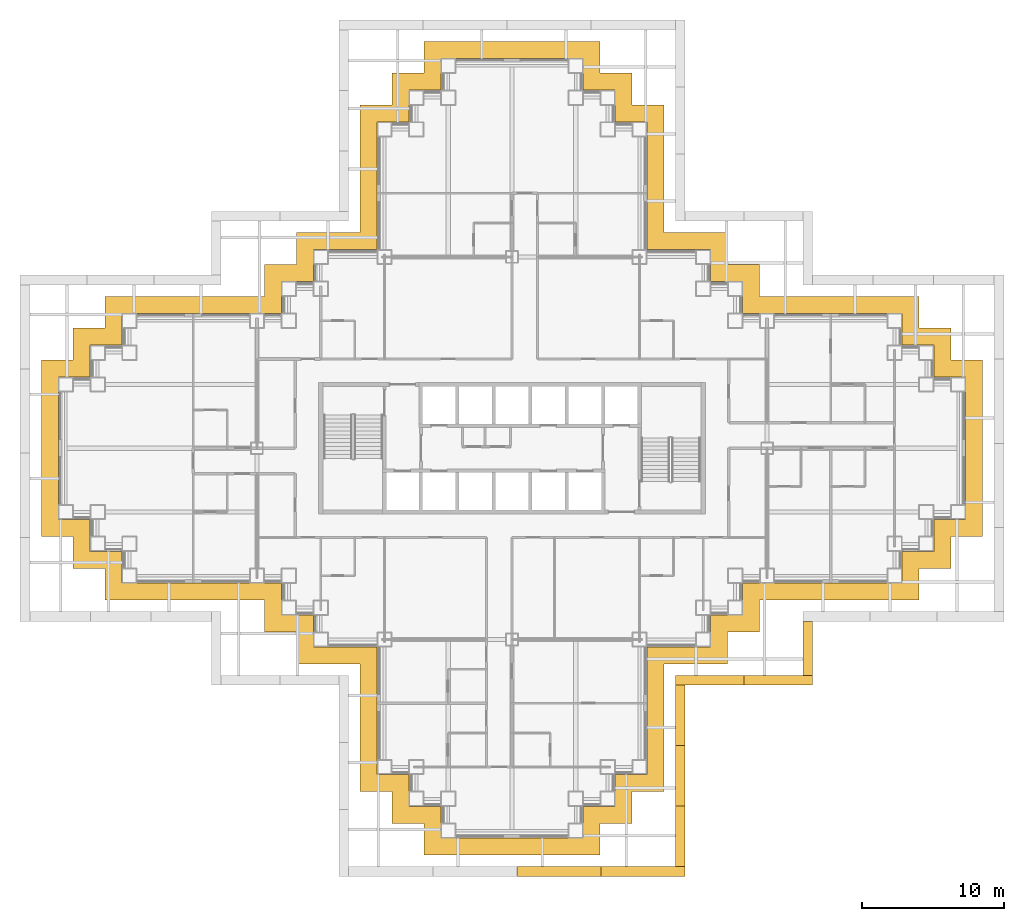
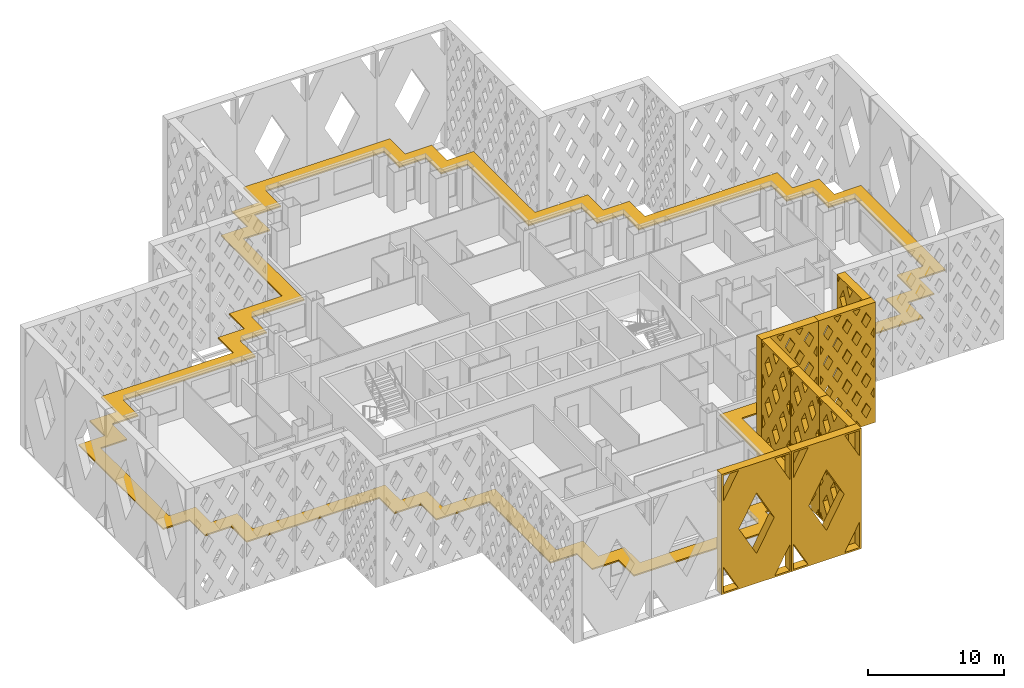
# One storey, part 15 of 19: 9 shading devices.
"""IFC4 building model written with IfcOpenShell, lengths in metres."""

from ifc_helpers import new_model, si_unit, direction, frame, origin, place, context, subcontext, project, spatial, polyline, outline, extrude, material, layer, layer_set, type_object, element, save


model = new_model("IFC4")

# Units and contexts
model_context = context("Model", 3, precision=1e-05, world=origin(), true_north=direction((0.0, 1.0)))
body_context = subcontext(model_context, "Body", "Model", "MODEL_VIEW")
ifc_project = project(units=[si_unit("LENGTHUNIT", "METRE"), si_unit("AREAUNIT", "SQUARE_METRE"), si_unit("VOLUMEUNIT", "CUBIC_METRE"), si_unit("PLANEANGLEUNIT", "RADIAN"), si_unit("MASSUNIT", "GRAM", prefix="KILO")], contexts=[model_context])

# Site, building, storey
site_placement = place(None, origin())
site = spatial("IfcSite", under=ifc_project, at=site_placement, CompositionType="ELEMENT")
building_placement = place(site_placement, origin())
building = spatial("IfcBuilding", under=site, at=building_placement, Name="Caravel Reach Hotel and Residences", CompositionType="ELEMENT")
storey_placement = place(building_placement, frame((0.0, 0.0, 52.800048828125)))
storey = spatial("IfcBuildingStorey", under=building, at=storey_placement, Name="L11", CompositionType="ELEMENT", Elevation=52.800048828125)

# Shading devices
ifc_material_1 = material(Name="Black powder-coated aluminium", Category="aluminium")
shading_device_type_1 = type_object("IfcShadingDeviceType", Name="Diamond lattice screen panel 3800 x 10800", PredefinedType="USERDEFINED", material=ifc_material_1)
shading_device_1_placement = place(storey_placement, frame((52.02490234375, 10.97509765625, 0.0), z_axis=(1.0, 0.0, 0.0), x_axis=(0.0, 1.0, 0.0)))
element("IfcShadingDevice", 1, at=shading_device_1_placement, inside=storey, type_object=shading_device_type_1, Name="Lattice screen L11-L13 5.1", ObjectType="SCREEN", PredefinedType="USERDEFINED", context=body_context, shape_type="SweptSolid", body=[
    extrude(outline(polyline([(0.0, 0.0), (3.800048828125, 0.0), (3.800048828125, 10.800048828125), (0.0, 10.800048828125), (0.0, 0.0)]), holes=[polyline([(0.41015625, 0.14990234375), (0.14990234375, 0.64306640625), (0.14990234375, 0.14990234375), (0.41015625, 0.14990234375)]), polyline([(0.489501953125, 3.60009765625), (0.14990234375, 4.2431640625), (0.14990234375, 2.956787109375), (0.489501953125, 3.60009765625)]), polyline([(0.489501953125, 7.199951171875), (0.14990234375, 7.843017578125), (0.14990234375, 6.556884765625), (0.489501953125, 7.199951171875)]), polyline([(0.14990234375, 10.156982421875), (0.41015625, 10.64990234375), (0.14990234375, 10.64990234375), (0.14990234375, 10.156982421875)]), polyline([(0.949951171875, 2.727294921875), (0.460693359375, 1.800048828125), (0.949951171875, 0.872802734375), (1.439453125, 1.800048828125), (0.949951171875, 2.727294921875)]), polyline([(0.949951171875, 6.327392578125), (0.460693359375, 5.39990234375), (0.949951171875, 4.47265625), (1.439453125, 5.39990234375), (0.949951171875, 6.327392578125)]), polyline([(0.949951171875, 9.92724609375), (0.460693359375, 9.0), (0.949951171875, 8.07275390625), (1.439453125, 9.0), (0.949951171875, 9.92724609375)]), polyline([(1.89990234375, 0.92724609375), (1.48974609375, 0.14990234375), (2.310302734375, 0.14990234375), (1.89990234375, 0.92724609375)]), polyline([(1.89990234375, 4.52734375), (1.41064453125, 3.60009765625), (1.89990234375, 2.672607421875), (2.389404296875, 3.60009765625), (1.89990234375, 4.52734375)]), polyline([(1.89990234375, 8.127197265625), (1.41064453125, 7.199951171875), (1.89990234375, 6.272705078125), (2.389404296875, 7.199951171875), (1.89990234375, 8.127197265625)]), polyline([(1.89990234375, 9.872802734375), (2.310302734375, 10.64990234375), (1.48974609375, 10.64990234375), (1.89990234375, 9.872802734375)]), polyline([(2.85009765625, 2.727294921875), (2.360595703125, 1.800048828125), (2.85009765625, 0.872802734375), (3.33935546875, 1.800048828125), (2.85009765625, 2.727294921875)]), polyline([(2.85009765625, 6.327392578125), (2.360595703125, 5.39990234375), (2.85009765625, 4.47265625), (3.33935546875, 5.39990234375), (2.85009765625, 6.327392578125)]), polyline([(2.85009765625, 9.92724609375), (2.360595703125, 9.0), (2.85009765625, 8.07275390625), (3.33935546875, 9.0), (2.85009765625, 9.92724609375)]), polyline([(3.64990234375, 0.64306640625), (3.3896484375, 0.14990234375), (3.64990234375, 0.14990234375), (3.64990234375, 0.64306640625)]), polyline([(3.310546875, 3.60009765625), (3.64990234375, 2.956787109375), (3.64990234375, 4.2431640625), (3.310546875, 3.60009765625)]), polyline([(3.310546875, 7.199951171875), (3.64990234375, 6.556884765625), (3.64990234375, 7.843017578125), (3.310546875, 7.199951171875)]), polyline([(3.3896484375, 10.64990234375), (3.64990234375, 10.156982421875), (3.64990234375, 10.64990234375), (3.3896484375, 10.64990234375)])]), origin(), (0.0, 0.0, 1.0), 0.7001953125),
])
ifc_material_2 = material(Name="Black powder-coated aluminium", Category="aluminium")
shading_device_type_2 = type_object("IfcShadingDeviceType", Name="Diamond lattice screen panel 4267 x 10800", PredefinedType="USERDEFINED", material=ifc_material_2)
shading_device_2_placement = place(storey_placement, frame((43.02490234375, -2.52490234375, 0.0), z_axis=(1.0, 0.0, 0.0), x_axis=(0.0, 1.0, 0.0)))
element("IfcShadingDevice", 2, at=shading_device_2_placement, inside=storey, type_object=shading_device_type_2, Name="Lattice screen L11-L13 3.1", ObjectType="SCREEN", PredefinedType="USERDEFINED", context=body_context, shape_type="SweptSolid", body=[
    extrude(outline(polyline([(0.0, 0.0), (4.2666015625, 0.0), (4.2666015625, 10.800048828125), (0.0, 10.800048828125), (0.0, 0.0)]), holes=[polyline([(0.457275390625, 0.14990234375), (0.14990234375, 0.66845703125), (0.14990234375, 0.14990234375), (0.457275390625, 0.14990234375)]), polyline([(0.546142578125, 3.60009765625), (0.14990234375, 4.2685546875), (0.14990234375, 2.931396484375), (0.546142578125, 3.60009765625)]), polyline([(0.546142578125, 7.199951171875), (0.14990234375, 7.868408203125), (0.14990234375, 6.531494140625), (0.546142578125, 7.199951171875)]), polyline([(0.14990234375, 10.131591796875), (0.457275390625, 10.64990234375), (0.14990234375, 10.64990234375), (0.14990234375, 10.131591796875)]), polyline([(1.066650390625, 2.7216796875), (0.5205078125, 1.800048828125), (1.066650390625, 0.87841796875), (1.61279296875, 1.800048828125), (1.066650390625, 2.7216796875)]), polyline([(1.066650390625, 6.321533203125), (0.5205078125, 5.39990234375), (1.066650390625, 4.478271484375), (1.61279296875, 5.39990234375), (1.066650390625, 6.321533203125)]), polyline([(1.066650390625, 9.921630859375), (0.5205078125, 9.0), (1.066650390625, 8.078369140625), (1.61279296875, 9.0), (1.066650390625, 9.921630859375)]), polyline([(2.13330078125, 0.921630859375), (1.676025390625, 0.14990234375), (2.590576171875, 0.14990234375), (2.13330078125, 0.921630859375)]), polyline([(2.13330078125, 4.521728515625), (1.587158203125, 3.60009765625), (2.13330078125, 2.678466796875), (2.679443359375, 3.60009765625), (2.13330078125, 4.521728515625)]), polyline([(2.13330078125, 8.12158203125), (1.587158203125, 7.199951171875), (2.13330078125, 6.2783203125), (2.679443359375, 7.199951171875), (2.13330078125, 8.12158203125)]), polyline([(2.13330078125, 9.87841796875), (2.590576171875, 10.64990234375), (1.676025390625, 10.64990234375), (2.13330078125, 9.87841796875)]), polyline([(3.199951171875, 2.7216796875), (2.65380859375, 1.800048828125), (3.199951171875, 0.87841796875), (3.74609375, 1.800048828125), (3.199951171875, 2.7216796875)]), polyline([(3.199951171875, 6.321533203125), (2.65380859375, 5.39990234375), (3.199951171875, 4.478271484375), (3.74609375, 5.39990234375), (3.199951171875, 6.321533203125)]), polyline([(3.199951171875, 9.921630859375), (2.65380859375, 9.0), (3.199951171875, 8.078369140625), (3.74609375, 9.0), (3.199951171875, 9.921630859375)]), polyline([(4.11669921875, 0.66845703125), (3.809326171875, 0.14990234375), (4.11669921875, 0.14990234375), (4.11669921875, 0.66845703125)]), polyline([(3.720458984375, 3.60009765625), (4.11669921875, 2.931396484375), (4.11669921875, 4.2685546875), (3.720458984375, 3.60009765625)]), polyline([(3.720458984375, 7.199951171875), (4.11669921875, 6.531494140625), (4.11669921875, 7.868408203125), (3.720458984375, 7.199951171875)]), polyline([(3.809326171875, 10.64990234375), (4.11669921875, 10.131591796875), (4.11669921875, 10.64990234375), (3.809326171875, 10.64990234375)])]), origin(), (0.0, 0.0, 1.0), 0.7001953125),
])
shading_device_3_placement = place(storey_placement, frame((43.02490234375, 1.74169921875, 0.0), z_axis=(1.0, 0.0, 0.0), x_axis=(0.0, 1.0, 0.0)))
element("IfcShadingDevice", 3, at=shading_device_3_placement, inside=storey, type_object=shading_device_type_2, Name="Lattice screen L11-L13 3.2", ObjectType="SCREEN", PredefinedType="USERDEFINED", context=body_context, shape_type="SweptSolid", body=[
    extrude(outline(polyline([(0.0, 0.0), (4.2666015625, 0.0), (4.2666015625, 10.800048828125), (0.0, 10.800048828125), (0.0, 0.0)]), holes=[polyline([(0.457275390625, 0.14990234375), (0.14990234375, 0.66845703125), (0.14990234375, 0.14990234375), (0.457275390625, 0.14990234375)]), polyline([(0.546142578125, 3.60009765625), (0.14990234375, 4.2685546875), (0.14990234375, 2.931396484375), (0.546142578125, 3.60009765625)]), polyline([(0.546142578125, 7.199951171875), (0.14990234375, 7.868408203125), (0.14990234375, 6.531494140625), (0.546142578125, 7.199951171875)]), polyline([(0.14990234375, 10.131591796875), (0.457275390625, 10.64990234375), (0.14990234375, 10.64990234375), (0.14990234375, 10.131591796875)]), polyline([(1.066650390625, 2.7216796875), (0.5205078125, 1.800048828125), (1.066650390625, 0.87841796875), (1.61279296875, 1.800048828125), (1.066650390625, 2.7216796875)]), polyline([(1.066650390625, 6.321533203125), (0.5205078125, 5.39990234375), (1.066650390625, 4.478271484375), (1.61279296875, 5.39990234375), (1.066650390625, 6.321533203125)]), polyline([(1.066650390625, 9.921630859375), (0.5205078125, 9.0), (1.066650390625, 8.078369140625), (1.61279296875, 9.0), (1.066650390625, 9.921630859375)]), polyline([(2.13330078125, 0.921630859375), (1.676025390625, 0.14990234375), (2.590576171875, 0.14990234375), (2.13330078125, 0.921630859375)]), polyline([(2.13330078125, 4.521728515625), (1.587158203125, 3.60009765625), (2.13330078125, 2.678466796875), (2.679443359375, 3.60009765625), (2.13330078125, 4.521728515625)]), polyline([(2.13330078125, 8.12158203125), (1.587158203125, 7.199951171875), (2.13330078125, 6.2783203125), (2.679443359375, 7.199951171875), (2.13330078125, 8.12158203125)]), polyline([(2.13330078125, 9.87841796875), (2.590576171875, 10.64990234375), (1.676025390625, 10.64990234375), (2.13330078125, 9.87841796875)]), polyline([(3.199951171875, 2.7216796875), (2.65380859375, 1.800048828125), (3.199951171875, 0.87841796875), (3.74609375, 1.800048828125), (3.199951171875, 2.7216796875)]), polyline([(3.199951171875, 6.321533203125), (2.65380859375, 5.39990234375), (3.199951171875, 4.478271484375), (3.74609375, 5.39990234375), (3.199951171875, 6.321533203125)]), polyline([(3.199951171875, 9.921630859375), (2.65380859375, 9.0), (3.199951171875, 8.078369140625), (3.74609375, 9.0), (3.199951171875, 9.921630859375)]), polyline([(4.11669921875, 0.66845703125), (3.809326171875, 0.14990234375), (4.11669921875, 0.14990234375), (4.11669921875, 0.66845703125)]), polyline([(3.720458984375, 3.60009765625), (4.11669921875, 2.931396484375), (4.11669921875, 4.2685546875), (3.720458984375, 3.60009765625)]), polyline([(3.720458984375, 7.199951171875), (4.11669921875, 6.531494140625), (4.11669921875, 7.868408203125), (3.720458984375, 7.199951171875)]), polyline([(3.809326171875, 10.64990234375), (4.11669921875, 10.131591796875), (4.11669921875, 10.64990234375), (3.809326171875, 10.64990234375)])]), origin(), (0.0, 0.0, 1.0), 0.7001953125),
])
shading_device_4_placement = place(storey_placement, frame((43.02490234375, 6.00830078125, 0.0), z_axis=(1.0, 0.0, 0.0), x_axis=(0.0, 1.0, 0.0)))
element("IfcShadingDevice", 4, at=shading_device_4_placement, inside=storey, type_object=shading_device_type_2, Name="Lattice screen L11-L13 3.3", ObjectType="SCREEN", PredefinedType="USERDEFINED", context=body_context, shape_type="SweptSolid", body=[
    extrude(outline(polyline([(0.0, 0.0), (4.2666015625, 0.0), (4.2666015625, 10.800048828125), (0.0, 10.800048828125), (0.0, 0.0)]), holes=[polyline([(0.457275390625, 0.14990234375), (0.14990234375, 0.66845703125), (0.14990234375, 0.14990234375), (0.457275390625, 0.14990234375)]), polyline([(0.546142578125, 3.60009765625), (0.14990234375, 4.2685546875), (0.14990234375, 2.931396484375), (0.546142578125, 3.60009765625)]), polyline([(0.546142578125, 7.199951171875), (0.14990234375, 7.868408203125), (0.14990234375, 6.531494140625), (0.546142578125, 7.199951171875)]), polyline([(0.14990234375, 10.131591796875), (0.457275390625, 10.64990234375), (0.14990234375, 10.64990234375), (0.14990234375, 10.131591796875)]), polyline([(1.066650390625, 2.7216796875), (0.5205078125, 1.800048828125), (1.066650390625, 0.87841796875), (1.61279296875, 1.800048828125), (1.066650390625, 2.7216796875)]), polyline([(1.066650390625, 6.321533203125), (0.5205078125, 5.39990234375), (1.066650390625, 4.478271484375), (1.61279296875, 5.39990234375), (1.066650390625, 6.321533203125)]), polyline([(1.066650390625, 9.921630859375), (0.5205078125, 9.0), (1.066650390625, 8.078369140625), (1.61279296875, 9.0), (1.066650390625, 9.921630859375)]), polyline([(2.13330078125, 0.921630859375), (1.676025390625, 0.14990234375), (2.590576171875, 0.14990234375), (2.13330078125, 0.921630859375)]), polyline([(2.13330078125, 4.521728515625), (1.587158203125, 3.60009765625), (2.13330078125, 2.678466796875), (2.679443359375, 3.60009765625), (2.13330078125, 4.521728515625)]), polyline([(2.13330078125, 8.12158203125), (1.587158203125, 7.199951171875), (2.13330078125, 6.2783203125), (2.679443359375, 7.199951171875), (2.13330078125, 8.12158203125)]), polyline([(2.13330078125, 9.87841796875), (2.590576171875, 10.64990234375), (1.676025390625, 10.64990234375), (2.13330078125, 9.87841796875)]), polyline([(3.199951171875, 2.7216796875), (2.65380859375, 1.800048828125), (3.199951171875, 0.87841796875), (3.74609375, 1.800048828125), (3.199951171875, 2.7216796875)]), polyline([(3.199951171875, 6.321533203125), (2.65380859375, 5.39990234375), (3.199951171875, 4.478271484375), (3.74609375, 5.39990234375), (3.199951171875, 6.321533203125)]), polyline([(3.199951171875, 9.921630859375), (2.65380859375, 9.0), (3.199951171875, 8.078369140625), (3.74609375, 9.0), (3.199951171875, 9.921630859375)]), polyline([(4.11669921875, 0.66845703125), (3.809326171875, 0.14990234375), (4.11669921875, 0.14990234375), (4.11669921875, 0.66845703125)]), polyline([(3.720458984375, 3.60009765625), (4.11669921875, 2.931396484375), (4.11669921875, 4.2685546875), (3.720458984375, 3.60009765625)]), polyline([(3.720458984375, 7.199951171875), (4.11669921875, 6.531494140625), (4.11669921875, 7.868408203125), (3.720458984375, 7.199951171875)]), polyline([(3.809326171875, 10.64990234375), (4.11669921875, 10.131591796875), (4.11669921875, 10.64990234375), (3.809326171875, 10.64990234375)])]), origin(), (0.0, 0.0, 1.0), 0.7001953125),
])
ifc_material_3 = material(Name="Black powder-coated aluminium", Category="aluminium")
shading_device_type_3 = type_object("IfcShadingDeviceType", Name="Diamond lattice screen panel 4850 x 10800", PredefinedType="USERDEFINED", material=ifc_material_3)
shading_device_5_placement = place(storey_placement, frame((43.02490234375, 10.97509765625, 0.0), z_axis=(0.0, -1.0, 0.0), x_axis=(1.0, 0.0, 0.0)))
element("IfcShadingDevice", 5, at=shading_device_5_placement, inside=storey, type_object=shading_device_type_3, Name="Lattice screen L11-L13 4.1", ObjectType="SCREEN", PredefinedType="USERDEFINED", context=body_context, shape_type="SweptSolid", body=[
    extrude(outline(polyline([(0.0, 0.0), (4.85009765625, 0.0), (4.85009765625, 10.800048828125), (0.0, 10.800048828125), (0.0, 0.0)]), holes=[polyline([(0.410888671875, 2.699951171875), (0.14990234375, 3.1357421875), (0.14990234375, 2.26416015625), (0.410888671875, 2.699951171875)]), polyline([(0.410888671875, 5.39990234375), (0.14990234375, 5.835693359375), (0.14990234375, 4.964111328125), (0.410888671875, 5.39990234375)]), polyline([(0.410888671875, 8.10009765625), (0.14990234375, 8.535888671875), (0.14990234375, 7.664306640625), (0.410888671875, 8.10009765625)]), polyline([(0.808349609375, 2.036376953125), (0.3974609375, 1.35009765625), (0.808349609375, 0.663818359375), (1.21923828125, 1.35009765625), (0.808349609375, 2.036376953125)]), polyline([(0.808349609375, 4.736328125), (0.3974609375, 4.050048828125), (0.808349609375, 3.36376953125), (1.21923828125, 4.050048828125), (0.808349609375, 4.736328125)]), polyline([(0.808349609375, 7.436279296875), (0.3974609375, 6.75), (0.808349609375, 6.063720703125), (1.21923828125, 6.75), (0.808349609375, 7.436279296875)]), polyline([(0.808349609375, 10.13623046875), (0.3974609375, 9.449951171875), (0.808349609375, 8.763671875), (1.21923828125, 9.449951171875), (0.808349609375, 10.13623046875)]), polyline([(1.61669921875, 0.686279296875), (1.295654296875, 0.14990234375), (1.937744140625, 0.14990234375), (1.61669921875, 0.686279296875)]), polyline([(1.61669921875, 3.38623046875), (1.205810546875, 2.699951171875), (1.61669921875, 2.013671875), (2.027587890625, 2.699951171875), (1.61669921875, 3.38623046875)]), polyline([(1.61669921875, 6.086181640625), (1.205810546875, 5.39990234375), (1.61669921875, 4.713623046875), (2.027587890625, 5.39990234375), (1.61669921875, 6.086181640625)]), polyline([(1.61669921875, 8.786376953125), (1.205810546875, 8.10009765625), (1.61669921875, 7.413818359375), (2.027587890625, 8.10009765625), (1.61669921875, 8.786376953125)]), polyline([(1.61669921875, 10.11376953125), (1.937744140625, 10.64990234375), (1.295654296875, 10.64990234375), (1.61669921875, 10.11376953125)]), polyline([(2.425048828125, 2.036376953125), (2.01416015625, 1.35009765625), (2.425048828125, 0.663818359375), (2.8359375, 1.35009765625), (2.425048828125, 2.036376953125)]), polyline([(2.425048828125, 4.736328125), (2.01416015625, 4.050048828125), (2.425048828125, 3.36376953125), (2.8359375, 4.050048828125), (2.425048828125, 4.736328125)]), polyline([(2.425048828125, 7.436279296875), (2.01416015625, 6.75), (2.425048828125, 6.063720703125), (2.8359375, 6.75), (2.425048828125, 7.436279296875)]), polyline([(2.425048828125, 10.13623046875), (2.01416015625, 9.449951171875), (2.425048828125, 8.763671875), (2.8359375, 9.449951171875), (2.425048828125, 10.13623046875)]), polyline([(3.2333984375, 0.686279296875), (2.912109375, 0.14990234375), (3.554443359375, 0.14990234375), (3.2333984375, 0.686279296875)]), polyline([(3.2333984375, 3.38623046875), (2.822509765625, 2.699951171875), (3.2333984375, 2.013671875), (3.644287109375, 2.699951171875), (3.2333984375, 3.38623046875)]), polyline([(3.2333984375, 6.086181640625), (2.822509765625, 5.39990234375), (3.2333984375, 4.713623046875), (3.644287109375, 5.39990234375), (3.2333984375, 6.086181640625)]), polyline([(3.2333984375, 8.786376953125), (2.822509765625, 8.10009765625), (3.2333984375, 7.413818359375), (3.644287109375, 8.10009765625), (3.2333984375, 8.786376953125)]), polyline([(3.2333984375, 10.11376953125), (3.554443359375, 10.64990234375), (2.912109375, 10.64990234375), (3.2333984375, 10.11376953125)]), polyline([(4.041748046875, 2.036376953125), (3.630859375, 1.35009765625), (4.041748046875, 0.663818359375), (4.45263671875, 1.35009765625), (4.041748046875, 2.036376953125)]), polyline([(4.041748046875, 4.736328125), (3.630859375, 4.050048828125), (4.041748046875, 3.36376953125), (4.45263671875, 4.050048828125), (4.041748046875, 4.736328125)]), polyline([(4.041748046875, 7.436279296875), (3.630859375, 6.75), (4.041748046875, 6.063720703125), (4.45263671875, 6.75), (4.041748046875, 7.436279296875)]), polyline([(4.041748046875, 10.13623046875), (3.630859375, 9.449951171875), (4.041748046875, 8.763671875), (4.45263671875, 9.449951171875), (4.041748046875, 10.13623046875)]), polyline([(4.43896484375, 2.699951171875), (4.699951171875, 2.26416015625), (4.699951171875, 3.1357421875), (4.43896484375, 2.699951171875)]), polyline([(4.43896484375, 5.39990234375), (4.699951171875, 4.964111328125), (4.699951171875, 5.835693359375), (4.43896484375, 5.39990234375)]), polyline([(4.43896484375, 8.10009765625), (4.699951171875, 7.664306640625), (4.699951171875, 8.535888671875), (4.43896484375, 8.10009765625)])]), origin(), (0.0, 0.0, 1.0), 0.7001953125),
])
shading_device_6_placement = place(storey_placement, frame((47.875, 10.97509765625, 0.0), z_axis=(0.0, -1.0, 0.0), x_axis=(1.0, 0.0, 0.0)))
element("IfcShadingDevice", 6, at=shading_device_6_placement, inside=storey, type_object=shading_device_type_3, Name="Lattice screen L11-L13 4.2", ObjectType="SCREEN", PredefinedType="USERDEFINED", context=body_context, shape_type="SweptSolid", body=[
    extrude(outline(polyline([(0.0, 0.0), (4.85009765625, 0.0), (4.85009765625, 10.800048828125), (0.0, 10.800048828125), (0.0, 0.0)]), holes=[polyline([(0.410888671875, 2.699951171875), (0.14990234375, 3.1357421875), (0.14990234375, 2.26416015625), (0.410888671875, 2.699951171875)]), polyline([(0.410888671875, 5.39990234375), (0.14990234375, 5.835693359375), (0.14990234375, 4.964111328125), (0.410888671875, 5.39990234375)]), polyline([(0.410888671875, 8.10009765625), (0.14990234375, 8.535888671875), (0.14990234375, 7.664306640625), (0.410888671875, 8.10009765625)]), polyline([(0.808349609375, 2.036376953125), (0.3974609375, 1.35009765625), (0.808349609375, 0.663818359375), (1.21923828125, 1.35009765625), (0.808349609375, 2.036376953125)]), polyline([(0.808349609375, 4.736328125), (0.3974609375, 4.050048828125), (0.808349609375, 3.36376953125), (1.21923828125, 4.050048828125), (0.808349609375, 4.736328125)]), polyline([(0.808349609375, 7.436279296875), (0.3974609375, 6.75), (0.808349609375, 6.063720703125), (1.21923828125, 6.75), (0.808349609375, 7.436279296875)]), polyline([(0.808349609375, 10.13623046875), (0.3974609375, 9.449951171875), (0.808349609375, 8.763671875), (1.21923828125, 9.449951171875), (0.808349609375, 10.13623046875)]), polyline([(1.61669921875, 0.686279296875), (1.295654296875, 0.14990234375), (1.937744140625, 0.14990234375), (1.61669921875, 0.686279296875)]), polyline([(1.61669921875, 3.38623046875), (1.205810546875, 2.699951171875), (1.61669921875, 2.013671875), (2.027587890625, 2.699951171875), (1.61669921875, 3.38623046875)]), polyline([(1.61669921875, 6.086181640625), (1.205810546875, 5.39990234375), (1.61669921875, 4.713623046875), (2.027587890625, 5.39990234375), (1.61669921875, 6.086181640625)]), polyline([(1.61669921875, 8.786376953125), (1.205810546875, 8.10009765625), (1.61669921875, 7.413818359375), (2.027587890625, 8.10009765625), (1.61669921875, 8.786376953125)]), polyline([(1.61669921875, 10.11376953125), (1.937744140625, 10.64990234375), (1.295654296875, 10.64990234375), (1.61669921875, 10.11376953125)]), polyline([(2.425048828125, 2.036376953125), (2.01416015625, 1.35009765625), (2.425048828125, 0.663818359375), (2.8359375, 1.35009765625), (2.425048828125, 2.036376953125)]), polyline([(2.425048828125, 4.736328125), (2.01416015625, 4.050048828125), (2.425048828125, 3.36376953125), (2.8359375, 4.050048828125), (2.425048828125, 4.736328125)]), polyline([(2.425048828125, 7.436279296875), (2.01416015625, 6.75), (2.425048828125, 6.063720703125), (2.8359375, 6.75), (2.425048828125, 7.436279296875)]), polyline([(2.425048828125, 10.13623046875), (2.01416015625, 9.449951171875), (2.425048828125, 8.763671875), (2.8359375, 9.449951171875), (2.425048828125, 10.13623046875)]), polyline([(3.2333984375, 0.686279296875), (2.912109375, 0.14990234375), (3.554443359375, 0.14990234375), (3.2333984375, 0.686279296875)]), polyline([(3.2333984375, 3.38623046875), (2.822509765625, 2.699951171875), (3.2333984375, 2.013671875), (3.644287109375, 2.699951171875), (3.2333984375, 3.38623046875)]), polyline([(3.2333984375, 6.086181640625), (2.822509765625, 5.39990234375), (3.2333984375, 4.713623046875), (3.644287109375, 5.39990234375), (3.2333984375, 6.086181640625)]), polyline([(3.2333984375, 8.786376953125), (2.822509765625, 8.10009765625), (3.2333984375, 7.413818359375), (3.644287109375, 8.10009765625), (3.2333984375, 8.786376953125)]), polyline([(3.2333984375, 10.11376953125), (3.554443359375, 10.64990234375), (2.912109375, 10.64990234375), (3.2333984375, 10.11376953125)]), polyline([(4.041748046875, 2.036376953125), (3.630859375, 1.35009765625), (4.041748046875, 0.663818359375), (4.45263671875, 1.35009765625), (4.041748046875, 2.036376953125)]), polyline([(4.041748046875, 4.736328125), (3.630859375, 4.050048828125), (4.041748046875, 3.36376953125), (4.45263671875, 4.050048828125), (4.041748046875, 4.736328125)]), polyline([(4.041748046875, 7.436279296875), (3.630859375, 6.75), (4.041748046875, 6.063720703125), (4.45263671875, 6.75), (4.041748046875, 7.436279296875)]), polyline([(4.041748046875, 10.13623046875), (3.630859375, 9.449951171875), (4.041748046875, 8.763671875), (4.45263671875, 9.449951171875), (4.041748046875, 10.13623046875)]), polyline([(4.43896484375, 2.699951171875), (4.699951171875, 2.26416015625), (4.699951171875, 3.1357421875), (4.43896484375, 2.699951171875)]), polyline([(4.43896484375, 5.39990234375), (4.699951171875, 4.964111328125), (4.699951171875, 5.835693359375), (4.43896484375, 5.39990234375)]), polyline([(4.43896484375, 8.10009765625), (4.699951171875, 7.664306640625), (4.699951171875, 8.535888671875), (4.43896484375, 8.10009765625)])]), origin(), (0.0, 0.0, 1.0), 0.7001953125),
])
ifc_material_4 = material(Name="Black powder-coated aluminium", Category="aluminium")
shading_device_type_4 = type_object("IfcShadingDeviceType", Name="Diamond lattice screen panel 5937 x 10800", PredefinedType="USERDEFINED", material=ifc_material_4)
for number, where, z_axis, x_axis, name in (
    (7, (31.85009765625, -2.52490234375, 0.0), (0.0, -1.0, 0.0), (1.0, 0.0, 0.0), "Lattice screen L11-L13 2.3"),
    (8, (37.78759765625, -2.52490234375, 0.0), (0.0, -1.0, 0.0), (1.0, 0.0, 0.0), "Lattice screen L11-L13 2.4"),
):
    element("IfcShadingDevice", number, at=place(storey_placement, frame(where, z_axis=z_axis, x_axis=x_axis)), inside=storey, type_object=shading_device_type_4, Name=name, ObjectType="SCREEN", PredefinedType="USERDEFINED", context=body_context, shape_type="SweptSolid", body=[
        extrude(outline(polyline([(0.0, 0.0), (5.9375, 0.0), (5.9375, 10.800048828125), (0.0, 10.800048828125), (0.0, 0.0)]), holes=[polyline([(1.42138671875, 0.14990234375), (0.14990234375, 2.462646484375), (0.14990234375, 0.14990234375), (1.42138671875, 0.14990234375)]), polyline([(0.14990234375, 8.33740234375), (1.42138671875, 10.64990234375), (0.14990234375, 10.64990234375), (0.14990234375, 8.33740234375)]), polyline([(2.96875, 8.135498046875), (1.46484375, 5.39990234375), (2.96875, 2.66455078125), (4.47265625, 5.39990234375), (2.96875, 8.135498046875)]), polyline([(5.78759765625, 2.462646484375), (4.51611328125, 0.14990234375), (5.78759765625, 0.14990234375), (5.78759765625, 2.462646484375)]), polyline([(4.51611328125, 10.64990234375), (5.78759765625, 8.33740234375), (5.78759765625, 10.64990234375), (4.51611328125, 10.64990234375)])]), origin(), (0.0, 0.0, 1.0), 0.7001953125),
    ])
ifc_material_5 = material(Name="Black powder-coated aluminium", Category="aluminium")
ifc_layer = layer(ifc_material_5, 0.1201171875)
ifc_layer_set = layer_set([ifc_layer], Name="SS1 Sunshade band 1200")
shading_device_type_5 = type_object("IfcShadingDeviceType", Name="SS1 Sunshade band 1200", PredefinedType="USERDEFINED", material=ifc_layer_set)
shading_device_7_placement = place(storey_placement, frame((0.0, 0.0, 3.0400390625)))
element("IfcShadingDevice", 9, at=shading_device_7_placement, inside=storey, type_object=shading_device_type_5, Name="Sunshade L11 1", ObjectType="SUNSHADE", PredefinedType="USERDEFINED", context=body_context, shape_type="SweptSolid", body=[
    extrude(outline(polyline([(20.77490234375, 11.77490234375), (20.77490234375, 2.77490234375), (23.02490234375, 2.77490234375), (23.02490234375, 0.52490234375), (25.27490234375, 0.52490234375), (25.27490234375, -1.72509765625), (37.72509765625, -1.72509765625), (37.72509765625, 0.52490234375), (39.97509765625, 0.52490234375), (39.97509765625, 2.77490234375), (42.22509765625, 2.77490234375), (42.22509765625, 11.77490234375), (46.72509765625, 11.77490234375), (46.72509765625, 14.02490234375), (48.97509765625, 14.02490234375), (48.97509765625, 16.27490234375), (60.22509765625, 16.27490234375), (60.22509765625, 18.52490234375), (62.47509765625, 18.52490234375), (62.47509765625, 20.77490234375), (64.72509765625, 20.77490234375), (64.72509765625, 33.22509765625), (62.47509765625, 33.22509765625), (62.47509765625, 35.47509765625), (60.22509765625, 35.47509765625), (60.22509765625, 37.72509765625), (48.97509765625, 37.72509765625), (48.97509765625, 39.97509765625), (46.72509765625, 39.97509765625), (46.72509765625, 42.22509765625), (42.22509765625, 42.22509765625), (42.22509765625, 51.22509765625), (39.97509765625, 51.22509765625), (39.97509765625, 53.47509765625), (37.72509765625, 53.47509765625), (37.72509765625, 55.72509765625), (25.27490234375, 55.72509765625), (25.27490234375, 53.47509765625), (23.02490234375, 53.47509765625), (23.02490234375, 51.22509765625), (20.77490234375, 51.22509765625), (20.77490234375, 42.22509765625), (16.27490234375, 42.22509765625), (16.27490234375, 39.97509765625), (14.02490234375, 39.97509765625), (14.02490234375, 37.72509765625), (2.77490234375, 37.72509765625), (2.77490234375, 35.47509765625), (0.52490234375, 35.47509765625), (0.52490234375, 33.22509765625), (-1.72509765625, 33.22509765625), (-1.72509765625, 20.77490234375), (0.52490234375, 20.77490234375), (0.52490234375, 18.52490234375), (2.77490234375, 18.52490234375), (2.77490234375, 16.27490234375), (14.02490234375, 16.27490234375), (14.02490234375, 14.02490234375), (16.27490234375, 14.02490234375), (16.27490234375, 11.77490234375), (20.77490234375, 11.77490234375)]), holes=[polyline([(24.22509765625, 3.97509765625), (21.97509765625, 3.97509765625), (21.97509765625, 12.97509765625), (17.47509765625, 12.97509765625), (17.47509765625, 15.22509765625), (15.22509765625, 15.22509765625), (15.22509765625, 17.47509765625), (3.97509765625, 17.47509765625), (3.97509765625, 19.72509765625), (1.72509765625, 19.72509765625), (1.72509765625, 21.97509765625), (-0.52490234375, 21.97509765625), (-0.52490234375, 32.02490234375), (1.72509765625, 32.02490234375), (1.72509765625, 34.27490234375), (3.97509765625, 34.27490234375), (3.97509765625, 36.52490234375), (15.22509765625, 36.52490234375), (15.22509765625, 38.77490234375), (17.47509765625, 38.77490234375), (17.47509765625, 41.02490234375), (21.97509765625, 41.02490234375), (21.97509765625, 50.02490234375), (24.22509765625, 50.02490234375), (24.22509765625, 52.27490234375), (26.47509765625, 52.27490234375), (26.47509765625, 54.52490234375), (36.52490234375, 54.52490234375), (36.52490234375, 52.27490234375), (38.77490234375, 52.27490234375), (38.77490234375, 50.02490234375), (41.02490234375, 50.02490234375), (41.02490234375, 41.02490234375), (45.52490234375, 41.02490234375), (45.52490234375, 38.77490234375), (47.77490234375, 38.77490234375), (47.77490234375, 36.52490234375), (59.02490234375, 36.52490234375), (59.02490234375, 34.27490234375), (61.27490234375, 34.27490234375), (61.27490234375, 32.02490234375), (63.52490234375, 32.02490234375), (63.52490234375, 21.97509765625), (61.27490234375, 21.97509765625), (61.27490234375, 19.72509765625), (59.02490234375, 19.72509765625), (59.02490234375, 17.47509765625), (47.77490234375, 17.47509765625), (47.77490234375, 15.22509765625), (45.52490234375, 15.22509765625), (45.52490234375, 12.97509765625), (41.02490234375, 12.97509765625), (41.02490234375, 3.97509765625), (38.77490234375, 3.97509765625), (38.77490234375, 1.72509765625), (36.52490234375, 1.72509765625), (36.52490234375, -0.52490234375), (26.47509765625, -0.52490234375), (26.47509765625, 1.72509765625), (24.22509765625, 1.72509765625), (24.22509765625, 3.97509765625)])]), origin(), (0.0, 0.0, 1.0), 0.119873046875),
])

save(model, "model.ifc")
